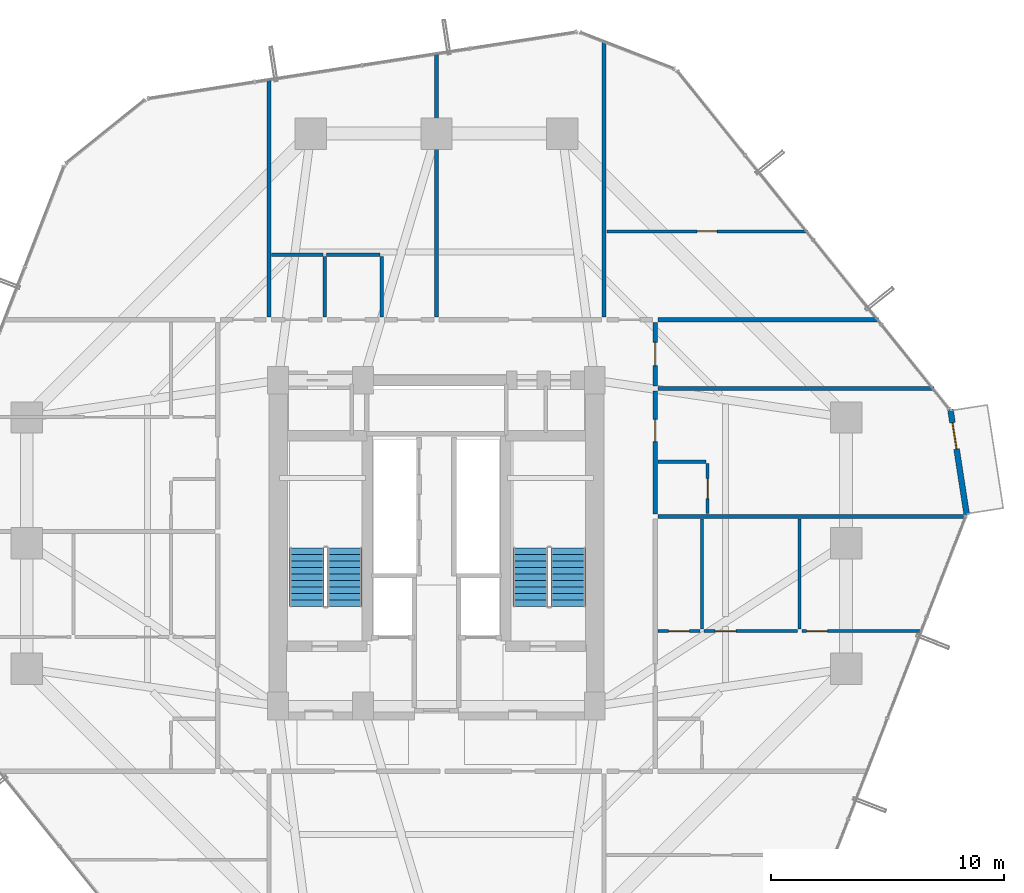
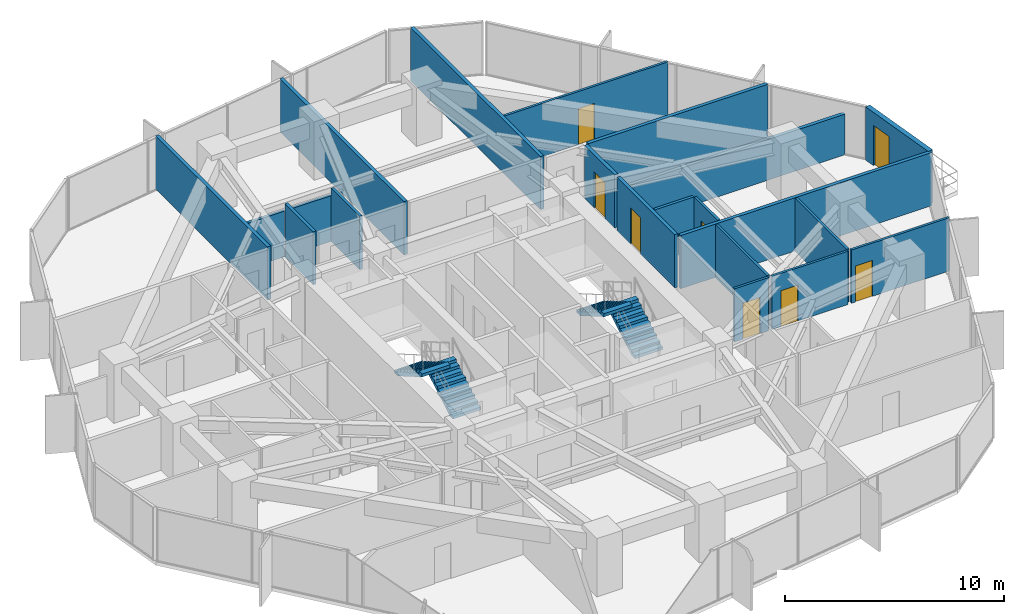
# One storey, part 35 of 37: 21 walls, 8 doors, 4 stair flights, 8 openings, 2 elements without a shape of their own.
"""IFC4 building model written with IfcOpenShell, lengths in metres."""

from ifc_helpers import new_model, si_unit, direction, frame, frame_2d, origin, place, context, subcontext, project, spatial, polyline, rectangle, outline, extrude, source, transform, mapped, material, layer, layer_set, type_object, element, fill, aggregate, save


model = new_model("IFC4")

# Units and contexts
model_context = context("Model", 3, precision=1e-05, world=origin(), true_north=direction((0.0, 1.0)))
body_context = subcontext(model_context, "Body", "Model", "MODEL_VIEW")
ifc_project = project(units=[si_unit("LENGTHUNIT", "METRE"), si_unit("AREAUNIT", "SQUARE_METRE"), si_unit("VOLUMEUNIT", "CUBIC_METRE"), si_unit("PLANEANGLEUNIT", "RADIAN"), si_unit("MASSUNIT", "GRAM", prefix="KILO")], contexts=[model_context])

# Site, building, storey
site_placement = place(None, origin())
site = spatial("IfcSite", under=ifc_project, at=site_placement, CompositionType="ELEMENT")
building_placement = place(site_placement, origin())
building = spatial("IfcBuilding", under=site, at=building_placement, Name="Veraguas Prism Commons", CompositionType="ELEMENT")
storey_placement = place(building_placement, frame((0.0, 0.0, 53.300048828125)))
storey = spatial("IfcBuildingStorey", under=building, at=storey_placement, Name="L14", CompositionType="ELEMENT", Elevation=53.300048828125)

# Walls
ifc_material_1 = material(Name="Autoclaved aerated masonry block 10 MPa", Category="masonry")
ifc_layer_1 = layer(ifc_material_1, 0.179931640625, Name="Corridor and Inter-Tenancy Partition 180", Category="masonry")
ifc_layer_set_1 = layer_set([ifc_layer_1], Name="Autoclaved aerated masonry block 10 MPa")
wall_type_1 = type_object("IfcWallType", Name="Corridor and Inter-Tenancy Partition 180", PredefinedType="PARTITIONING", material=ifc_layer_set_1)
wall_1_placement = place(storey_placement, frame((16.800048828125, 33.719970703125, 0.0), z_axis=(0.0, 0.0, 1.0), x_axis=(0.0, 1.0, 0.0)))
element("IfcWall", 1, at=wall_1_placement, inside=storey, type_object=wall_type_1, Name="WL-L14-PT005", PredefinedType="PARTITIONING", context=body_context, shape_type="SweptSolid", body=[
    extrude(rectangle(XDim=10.2265625, YDim=0.179931640625, at=frame_2d((5.11328125, 0.0))), origin(), (0.0, 0.0, 1.0), 2.969970703125),
])
wall_2_placement = place(storey_placement, frame((31.199951171875, 33.719970703125, 0.0), z_axis=(0.0, 0.0, 1.0), x_axis=(0.0, 1.0, 0.0)))
element("IfcWall", 2, at=wall_2_placement, inside=storey, type_object=wall_type_1, Name="WL-L14-PT006", PredefinedType="PARTITIONING", context=body_context, shape_type="SweptSolid", body=[
    extrude(rectangle(XDim=11.867919921875, YDim=0.179931640625, at=frame_2d((5.93408203125, 0.0))), origin(), (0.0, 0.0, 1.0), 2.969970703125),
])
wall_3_placement = place(storey_placement, frame((24.0, 33.719970703125, 0.0), z_axis=(0.0, 0.0, 1.0), x_axis=(0.0, 1.0, 0.0)))
element("IfcWall", 3, at=wall_3_placement, inside=storey, type_object=wall_type_1, Name="WL-L14-PT015", PredefinedType="PARTITIONING", context=body_context, shape_type="SweptSolid", body=[
    extrude(rectangle(XDim=11.34375, YDim=0.179931640625, at=frame_2d((5.671875, 0.0))), origin(), (0.0, 0.0, 1.0), 2.969970703125),
])
wall_4_placement = place(storey_placement, frame((33.52001953125, 33.60009765625, 0.0), z_axis=(0.0, 0.0, 1.0), x_axis=(1.0, 0.0, 0.0)))
element("IfcWall", 4, at=wall_4_placement, inside=storey, type_object=wall_type_1, Name="WL-L14-PT034", PredefinedType="PARTITIONING", context=body_context, shape_type="SweptSolid", body=[
    extrude(rectangle(XDim=9.471435546875, YDim=0.179931640625, at=frame_2d((4.73583984375, 0.0))), origin(), (0.0, 0.0, 1.0), 2.969970703125),
])
wall_5_placement = place(storey_placement, frame((33.52001953125, 25.152099609375, 0.0), z_axis=(0.0, 0.0, 1.0), x_axis=(1.0, 0.0, 0.0)))
element("IfcWall", 5, at=wall_5_placement, inside=storey, type_object=wall_type_1, Name="WL-L14-PT043", PredefinedType="PARTITIONING", context=body_context, shape_type="SweptSolid", body=[
    extrude(rectangle(XDim=13.248779296875, YDim=0.179931640625, at=frame_2d((6.62451171875, 0.0))), origin(), (0.0, 0.0, 1.0), 2.969970703125),
])

# Wall, opening, door
wall_6_placement = place(storey_placement, frame((33.39990234375, 30.760009765625, 0.0), z_axis=(0.0, 0.0, 1.0), x_axis=(0.0, 1.0, 0.0)))
wall_6 = element("IfcWall", 6, at=wall_6_placement, inside=storey, type_object=wall_type_1, Name="WL-L14-PT044", PredefinedType="PARTITIONING", context=body_context, shape_type="SweptSolid", body=[
    extrude(rectangle(XDim=2.72998046875, YDim=0.179931640625, at=frame_2d((1.364990234375, 0.0))), origin(), (0.0, 0.0, 1.0), 2.969970703125),
])
opening_1_placement = place(wall_6_placement, frame((0.864990234375, 0.0, 0.0)))
opening_1 = element("IfcOpeningElement", 7, at=opening_1_placement, cuts=wall_6, Name="Opening DR-13", PredefinedType="OPENING", context=body_context, shape_type="SweptSolid", body=[
    extrude(rectangle(XDim=1.0, YDim=2.010009765625, at=frame_2d((0.5, 1.0048828125))), frame((0.0, 0.099853515625, 0.0), z_axis=(0.0, -1.0, 0.0), x_axis=(1.0, 0.0, 0.0)), (0.0, 0.0, 1.0), 0.199951171875),
])
ifc_material_2 = material(Name="Steel fire-rated door assembly", Category="steel")
door_type_1 = type_object("IfcDoorType", Name="Core Accessible WC and Clinic Fire Door 1000x2010", OperationType="NOTDEFINED", PredefinedType="DOOR", material=ifc_material_2)
shared_shape_1 = source(origin(), body_context, "Body", "SweptSolid", [
    extrude(rectangle(XDim=1.0, YDim=2.010009765625, at=frame_2d((0.5, 1.0048828125))), frame((0.0, 0.02490234375, 0.0), z_axis=(0.0, -1.0, 0.0), x_axis=(1.0, 0.0, 0.0)), (0.0, 0.0, 1.0), 0.050048828125),
])
door_1_placement = place(opening_1_placement, origin())
door_1 = element("IfcDoor", 8, at=door_1_placement, inside=storey, type_object=door_type_1, Name="Quiet Study E Door", OperationType="SINGLE_SWING_LEFT", OverallHeight=2.010009765625, OverallWidth=1.0, PredefinedType="DOOR", context=body_context, shape_type="MappedRepresentation", body=[
    mapped(shared_shape_1, transform((0.0, 0.0, 0.0), scale=1.0)),
])
fill(opening_1, door_1)

# Wall
wall_7_placement = place(storey_placement, frame((33.52001953125, 30.64990234375, 0.0), z_axis=(0.0, 0.0, 1.0), x_axis=(1.0, 0.0, 0.0)))
element("IfcWall", 9, at=wall_7_placement, inside=storey, type_object=wall_type_1, Name="WL-L14-PT045", PredefinedType="PARTITIONING", context=body_context, shape_type="SweptSolid", body=[
    extrude(rectangle(XDim=11.844970703125, YDim=0.179931640625, at=frame_2d((5.92236328125, 0.0))), origin(), (0.0, 0.0, 1.0), 2.26904296875),
])

# Wall, opening, door
wall_8_placement = place(storey_placement, frame((33.39990234375, 25.261962890625, 0.0), z_axis=(0.0, 0.0, 1.0), x_axis=(0.0, 1.0, 0.0)))
wall_8 = element("IfcWall", 10, at=wall_8_placement, inside=storey, type_object=wall_type_1, Name="WL-L14-PT046", PredefinedType="PARTITIONING", context=body_context, shape_type="SweptSolid", body=[
    extrude(rectangle(XDim=5.278076171875, YDim=0.179931640625, at=frame_2d((2.63916015625, 0.0))), origin(), (0.0, 0.0, 1.0), 2.969970703125),
])
opening_2_placement = place(wall_8_placement, frame((3.106689453125, 0.0, 0.0)))
opening_2 = element("IfcOpeningElement", 11, at=opening_2_placement, cuts=wall_8, Name="Opening DR-01", PredefinedType="OPENING", context=body_context, shape_type="SweptSolid", body=[
    extrude(rectangle(XDim=0.949951171875, YDim=2.02001953125, at=frame_2d((0.47509765625, 1.010009765625))), frame((0.0, 0.099853515625, 0.0), z_axis=(0.0, -1.0, 0.0), x_axis=(1.0, 0.0, 0.0)), (0.0, 0.0, 1.0), 0.199951171875),
])
ifc_material_3 = material(Name="Anodised aluminium EN AW-6063 T6", Category="aluminium")
door_type_2 = type_object("IfcDoorType", Name="Apartment Entrance Fire Door 950x2020", OperationType="NOTDEFINED", PredefinedType="DOOR", material=ifc_material_3)
shared_shape_2 = source(origin(), body_context, "Body", "SweptSolid", [
    extrude(rectangle(XDim=0.949951171875, YDim=2.02001953125, at=frame_2d((0.47509765625, 1.010009765625))), frame((0.0, 0.02490234375, 0.0), z_axis=(0.0, -1.0, 0.0), x_axis=(1.0, 0.0, 0.0)), (0.0, 0.0, 1.0), 0.050048828125),
])
door_2_placement = place(opening_2_placement, origin())
door_2 = element("IfcDoor", 12, at=door_2_placement, inside=storey, type_object=door_type_2, Name="Studio 14D Entrance Door", OperationType="SINGLE_SWING_RIGHT", OverallHeight=2.02001953125, OverallWidth=0.949951171875, PredefinedType="DOOR", context=body_context, shape_type="MappedRepresentation", body=[
    mapped(shared_shape_2, transform((0.0, 0.0, 0.0), scale=1.0)),
])
fill(opening_2, door_2)

ifc_material_4 = material(Name="Precast concrete C40/50", Category="concrete")
ifc_layer_2 = layer(ifc_material_4, 0.25, Name="External Loggia and Portal Wall 250", Category="concrete")
ifc_layer_set_2 = layer_set([ifc_layer_2], Name="Precast concrete C40/50")
wall_type_2 = type_object("IfcWallType", Name="External Loggia and Portal Wall 250", PredefinedType="SOLIDWALL", material=ifc_layer_set_2)
wall_9_placement = place(storey_placement, frame((46.78369140625, 25.218017578125, 0.0), z_axis=(0.0, 0.0, 1.0), x_axis=(-0.153366947005, 0.988169307136, 0.0)))
wall_9 = element("IfcWall", 13, at=wall_9_placement, inside=storey, type_object=wall_type_2, Name="Corner Loggia Wall L14-C1", PredefinedType="SOLIDWALL", context=body_context, shape_type="SweptSolid", body=[
    extrude(rectangle(XDim=4.579833984375, YDim=0.25, at=frame_2d((2.2900390625, 0.0))), origin(), (0.0, 0.0, 1.0), 2.969970703125),
])
opening_3_placement = place(wall_9_placement, frame((2.860107421875, 0.0, 0.0)))
opening_3 = element("IfcOpeningElement", 14, at=opening_3_placement, cuts=wall_9, Name="Opening DR-10", PredefinedType="OPENING", context=body_context, shape_type="SweptSolid", body=[
    extrude(rectangle(XDim=1.14990234375, YDim=2.25, at=frame_2d((0.574951171875, 1.125))), frame((0.0, 0.135009765625, 0.0), z_axis=(0.0, -1.0, 0.0), x_axis=(1.0, 0.0, 0.0)), (0.0, 0.0, 1.0), 0.27001953125),
])
door_type_3 = type_object("IfcDoorType", Name="Glazed Loggia and Terrace Door 1150x2250", OperationType="NOTDEFINED", PredefinedType="DOOR", material=ifc_material_3)
shared_shape_3 = source(origin(), body_context, "Body", "SweptSolid", [
    extrude(rectangle(XDim=1.14990234375, YDim=2.25, at=frame_2d((0.574951171875, 1.125))), frame((0.0, 0.02490234375, 0.0), z_axis=(0.0, -1.0, 0.0), x_axis=(1.0, 0.0, 0.0)), (0.0, 0.0, 1.0), 0.050048828125),
])
door_3_placement = place(opening_3_placement, frame((1.14990234375, 0.0, 0.0), z_axis=(0.0, 0.0, 1.0), x_axis=(-1.0, 0.0, 0.0)))
door_3 = element("IfcDoor", 15, at=door_3_placement, inside=storey, type_object=door_type_3, Name="Recessed Loggia Door L14-C1", OperationType="SINGLE_SWING_RIGHT", OverallHeight=2.25, OverallWidth=1.14990234375, PredefinedType="DOOR", context=body_context, shape_type="MappedRepresentation", body=[
    mapped(shared_shape_3, transform((0.0, 0.0, 0.0), scale=1.0)),
])
fill(opening_3, door_3)

ifc_material_5 = material(Name="Lightweight acoustic gypsum board")
ifc_layer_3 = layer(ifc_material_5, 0.125, Name="Internal Apartment Room Partition 125")
ifc_layer_set_3 = layer_set([ifc_layer_3], Name="Lightweight acoustic gypsum board")
wall_type_3 = type_object("IfcWallType", Name="Internal Apartment Room Partition 125", PredefinedType="PARTITIONING", material=ifc_layer_set_3)
wall_10_placement = place(storey_placement, frame((33.52001953125, 20.22412109375, 0.0), z_axis=(0.0, 0.0, 1.0), x_axis=(1.0, 0.0, 0.0)))
wall_10 = element("IfcWall", 16, at=wall_10_placement, inside=storey, type_object=wall_type_3, Name="WL-L14-PT038", PredefinedType="PARTITIONING", context=body_context, shape_type="SweptSolid", body=[
    extrude(rectangle(XDim=1.800048828125, YDim=0.125, at=frame_2d((0.89990234375, 0.0))), origin(), (0.0, 0.0, 1.0), 2.969970703125),
])
opening_4_placement = place(wall_10_placement, frame((0.449951171875, 0.0, 0.0)))
opening_4 = element("IfcOpeningElement", 17, at=opening_4_placement, cuts=wall_10, Name="Opening DR-02", PredefinedType="OPENING", context=body_context, shape_type="SweptSolid", body=[
    extrude(rectangle(XDim=0.89990234375, YDim=2.010009765625, at=frame_2d((0.449951171875, 1.0048828125))), frame((0.0, 0.072509765625, 0.0), z_axis=(0.0, -1.0, 0.0), x_axis=(1.0, 0.0, 0.0)), (0.0, 0.0, 1.0), 0.14501953125),
])
ifc_material_6 = material(Name="Timber solid core hardwood", Category="wood")
door_type_4 = type_object("IfcDoorType", Name="Internal Habitable Room Door 900x2010", OperationType="NOTDEFINED", PredefinedType="DOOR", material=ifc_material_6)
shared_shape_4 = source(origin(), body_context, "Body", "SweptSolid", [
    extrude(rectangle(XDim=0.89990234375, YDim=2.010009765625, at=frame_2d((0.449951171875, 1.0048828125))), frame((0.0, 0.02490234375, 0.0), z_axis=(0.0, -1.0, 0.0), x_axis=(1.0, 0.0, 0.0)), (0.0, 0.0, 1.0), 0.050048828125),
])
door_4_placement = place(opening_4_placement, origin())
door_4 = element("IfcDoor", 18, at=door_4_placement, inside=storey, type_object=door_type_4, Name="Flat 14C Kitchen Door", OperationType="SINGLE_SWING_RIGHT", OverallHeight=2.010009765625, OverallWidth=0.89990234375, PredefinedType="DOOR", context=body_context, shape_type="MappedRepresentation", body=[
    mapped(shared_shape_4, transform((0.0, 0.0, 0.0), scale=1.0)),
])
fill(opening_4, door_4)

# Walls
for number, where, z_axis, x_axis, name in (
    (19, (35.39990234375, 20.323974609375, 0.0), (0.0, 0.0, 1.0), (0.0, 1.0, 0.0), "WL-L14-PT039"),
    (20, (39.60009765625, 20.323974609375, 0.0), (0.0, 0.0, 1.0), (0.0, 1.0, 0.0), "WL-L14-PT040"),
):
    element("IfcWall", number, at=place(storey_placement, frame(where, z_axis=z_axis, x_axis=x_axis)), inside=storey, type_object=wall_type_3, Name=name, PredefinedType="PARTITIONING", context=body_context, shape_type="SweptSolid", body=[
        extrude(rectangle(XDim=4.7080078125, YDim=0.125, at=frame_2d((2.35400390625, 0.0))), origin(), (0.0, 0.0, 1.0), 2.969970703125),
    ])

# Wall, opening, door
wall_11_placement = place(storey_placement, frame((35.5, 20.22412109375, 0.0), z_axis=(0.0, 0.0, 1.0), x_axis=(1.0, 0.0, 0.0)))
wall_11 = element("IfcWall", 21, at=wall_11_placement, inside=storey, type_object=wall_type_3, Name="WL-L14-PT041", PredefinedType="PARTITIONING", context=body_context, shape_type="SweptSolid", body=[
    extrude(rectangle(XDim=4.02001953125, YDim=0.125, at=frame_2d((2.010009765625, 0.0))), origin(), (0.0, 0.0, 1.0), 2.969970703125),
])
opening_5_placement = place(wall_11_placement, frame((0.471923828125, 0.0, 0.0)))
opening_5 = element("IfcOpeningElement", 22, at=opening_5_placement, cuts=wall_11, Name="Opening DR-02", PredefinedType="OPENING", context=body_context, shape_type="SweptSolid", body=[
    extrude(rectangle(XDim=0.89990234375, YDim=2.010009765625, at=frame_2d((0.449951171875, 1.0048828125))), frame((0.0, 0.072509765625, 0.0), z_axis=(0.0, -1.0, 0.0), x_axis=(1.0, 0.0, 0.0)), (0.0, 0.0, 1.0), 0.14501953125),
])
door_5_placement = place(opening_5_placement, origin())
door_5 = element("IfcDoor", 23, at=door_5_placement, inside=storey, type_object=door_type_4, Name="Flat 14C Bedroom 1 Door", OperationType="SINGLE_SWING_LEFT", OverallHeight=2.010009765625, OverallWidth=0.89990234375, PredefinedType="DOOR", context=body_context, shape_type="MappedRepresentation", body=[
    mapped(shared_shape_4, transform((0.0, 0.0, 0.0), scale=1.0)),
])
fill(opening_5, door_5)

wall_12_placement = place(storey_placement, frame((39.699951171875, 20.22412109375, 0.0), z_axis=(0.0, 0.0, 1.0), x_axis=(1.0, 0.0, 0.0)))
wall_12 = element("IfcWall", 24, at=wall_12_placement, inside=storey, type_object=wall_type_3, Name="WL-L14-PT042", PredefinedType="PARTITIONING", context=body_context, shape_type="SweptSolid", body=[
    extrude(rectangle(XDim=5.159423828125, YDim=0.125, at=frame_2d((2.57958984375, 0.0))), origin(), (0.0, 0.0, 1.0), 2.969970703125),
])
opening_6_placement = place(wall_12_placement, frame((0.199951171875, 0.0, 0.0)))
opening_6 = element("IfcOpeningElement", 25, at=opening_6_placement, cuts=wall_12, Name="Opening DR-02", PredefinedType="OPENING", context=body_context, shape_type="SweptSolid", body=[
    extrude(rectangle(XDim=0.89990234375, YDim=2.010009765625, at=frame_2d((0.449951171875, 1.0048828125))), frame((0.0, 0.072509765625, 0.0), z_axis=(0.0, -1.0, 0.0), x_axis=(1.0, 0.0, 0.0)), (0.0, 0.0, 1.0), 0.14501953125),
])
door_6_placement = place(opening_6_placement, origin())
door_6 = element("IfcDoor", 26, at=door_6_placement, inside=storey, type_object=door_type_4, Name="Flat 14C Bedroom 2 Door", OperationType="SINGLE_SWING_RIGHT", OverallHeight=2.010009765625, OverallWidth=0.89990234375, PredefinedType="DOOR", context=body_context, shape_type="MappedRepresentation", body=[
    mapped(shared_shape_4, transform((0.0, 0.0, 0.0), scale=1.0)),
])
fill(opening_6, door_6)

wall_13_placement = place(storey_placement, frame((35.64990234375, 25.27197265625, 0.0), z_axis=(0.0, 0.0, 1.0), x_axis=(0.0, 1.0, 0.0)))
wall_13 = element("IfcWall", 27, at=wall_13_placement, inside=storey, type_object=wall_type_3, Name="WL-L14-PT048", PredefinedType="PARTITIONING", context=body_context, shape_type="SweptSolid", body=[
    extrude(rectangle(XDim=2.150146484375, YDim=0.125, at=frame_2d((1.0751953125, 0.0))), origin(), (0.0, 0.0, 1.0), 2.969970703125),
])
opening_7_placement = place(wall_13_placement, frame((0.64501953125, 0.0, 0.0)))
opening_7 = element("IfcOpeningElement", 28, at=opening_7_placement, cuts=wall_13, Name="Opening DR-03", PredefinedType="OPENING", context=body_context, shape_type="SweptSolid", body=[
    extrude(rectangle(XDim=0.860107421875, YDim=2.010009765625, at=frame_2d((0.43017578125, 1.0048828125))), frame((0.0, 0.072509765625, 0.0), z_axis=(0.0, -1.0, 0.0), x_axis=(1.0, 0.0, 0.0)), (0.0, 0.0, 1.0), 0.14501953125),
])
ifc_material_7 = material(Name="Timber moisture-resistant leaf", Category="wood")
door_type_5 = type_object("IfcDoorType", Name="Internal Bathroom Door 860x2010", OperationType="NOTDEFINED", PredefinedType="DOOR", material=ifc_material_7)
shared_shape_5 = source(origin(), body_context, "Body", "SweptSolid", [
    extrude(rectangle(XDim=0.860107421875, YDim=2.010009765625, at=frame_2d((0.43017578125, 1.0048828125))), frame((0.0, 0.02490234375, 0.0), z_axis=(0.0, -1.0, 0.0), x_axis=(1.0, 0.0, 0.0)), (0.0, 0.0, 1.0), 0.050048828125),
])
door_7_placement = place(opening_7_placement, origin())
door_7 = element("IfcDoor", 29, at=door_7_placement, inside=storey, type_object=door_type_5, Name="Studio 14D Bathroom Door", OperationType="SINGLE_SWING_LEFT", OverallHeight=2.010009765625, OverallWidth=0.860107421875, PredefinedType="DOOR", context=body_context, shape_type="MappedRepresentation", body=[
    mapped(shared_shape_5, transform((0.0, 0.0, 0.0), scale=1.0)),
])
fill(opening_7, door_7)

wall_14_placement = place(storey_placement, frame((31.320068359375, 37.39990234375, 0.0), z_axis=(0.0, 0.0, 1.0), x_axis=(1.0, 0.0, 0.0)))
wall_14 = element("IfcWall", 30, at=wall_14_placement, inside=storey, type_object=wall_type_3, Name="WL-L14-PT055", PredefinedType="PARTITIONING", context=body_context, shape_type="SweptSolid", body=[
    extrude(rectangle(XDim=8.61376953125, YDim=0.125, at=frame_2d((4.306884765625, 0.0))), origin(), (0.0, 0.0, 1.0), 2.969970703125),
])
opening_8_placement = place(wall_14_placement, frame((3.876953125, 0.0, 0.0)))
opening_8 = element("IfcOpeningElement", 31, at=opening_8_placement, cuts=wall_14, Name="Opening DR-03", PredefinedType="OPENING", context=body_context, shape_type="SweptSolid", body=[
    extrude(rectangle(XDim=0.860107421875, YDim=2.010009765625, at=frame_2d((0.43017578125, 1.0048828125))), frame((0.0, 0.072509765625, 0.0), z_axis=(0.0, -1.0, 0.0), x_axis=(1.0, 0.0, 0.0)), (0.0, 0.0, 1.0), 0.14501953125),
])
door_8_placement = place(opening_8_placement, origin())
door_8 = element("IfcDoor", 32, at=door_8_placement, inside=storey, type_object=door_type_5, Name="Corner Store NE Door", OperationType="SINGLE_SWING_RIGHT", OverallHeight=2.010009765625, OverallWidth=0.860107421875, PredefinedType="DOOR", context=body_context, shape_type="MappedRepresentation", body=[
    mapped(shared_shape_5, transform((0.0, 0.0, 0.0), scale=1.0)),
])
fill(opening_8, door_8)

# Walls
ifc_layer_4 = layer(ifc_material_5, 0.14990234375, Name="Wet Room and Clinic Acoustic Partition 150")
ifc_layer_set_4 = layer_set([ifc_layer_4], Name="Lightweight acoustic gypsum board")
wall_type_4 = type_object("IfcWallType", Name="Wet Room and Clinic Acoustic Partition 150", PredefinedType="PARTITIONING", material=ifc_layer_set_4)
for number, where, z_axis, x_axis, name in (
    (33, (19.199951171875, 33.719970703125, 0.0), (0.0, 0.0, 1.0), (0.0, 1.0, 0.0), "WL-L14-PT011"),
    (34, (21.64990234375, 33.719970703125, 0.0), (0.0, 0.0, 1.0), (0.0, 1.0, 0.0), "WL-L14-PT012"),
):
    element("IfcWall", number, at=place(storey_placement, frame(where, z_axis=z_axis, x_axis=x_axis)), inside=storey, type_object=wall_type_4, Name=name, PredefinedType="PARTITIONING", context=body_context, shape_type="SweptSolid", body=[
        extrude(rectangle(XDim=2.60009765625, YDim=0.14990234375, at=frame_2d((1.300048828125, 0.0))), origin(), (0.0, 0.0, 1.0), 2.969970703125),
    ])
wall_15_placement = place(storey_placement, frame((16.919921875, 36.39990234375, 0.0), z_axis=(0.0, 0.0, 1.0), x_axis=(1.0, 0.0, 0.0)))
element("IfcWall", 35, at=wall_15_placement, inside=storey, type_object=wall_type_4, Name="WL-L14-PT013", PredefinedType="PARTITIONING", context=body_context, shape_type="SweptSolid", body=[
    extrude(rectangle(XDim=2.2001953125, YDim=0.14990234375, at=frame_2d((1.10009765625, 0.0))), origin(), (0.0, 0.0, 1.0), 2.550048828125),
])
wall_16_placement = place(storey_placement, frame((19.280029296875, 36.39990234375, 0.0), z_axis=(0.0, 0.0, 1.0), x_axis=(1.0, 0.0, 0.0)))
element("IfcWall", 36, at=wall_16_placement, inside=storey, type_object=wall_type_4, Name="WL-L14-PT014", PredefinedType="PARTITIONING", context=body_context, shape_type="SweptSolid", body=[
    extrude(rectangle(XDim=2.2900390625, YDim=0.14990234375, at=frame_2d((1.14501953125, 0.0))), origin(), (0.0, 0.0, 1.0), 2.550048828125),
])
wall_17_placement = place(storey_placement, frame((33.52001953125, 27.501953125, 0.0), z_axis=(0.0, 0.0, 1.0), x_axis=(1.0, 0.0, 0.0)))
element("IfcWall", 37, at=wall_17_placement, inside=storey, type_object=wall_type_4, Name="WL-L14-PT047", PredefinedType="PARTITIONING", context=body_context, shape_type="SweptSolid", body=[
    extrude(rectangle(XDim=2.050048828125, YDim=0.14990234375, at=frame_2d((1.02490234375, 0.0))), origin(), (0.0, 0.0, 1.0), 2.969970703125),
])

# Stair, stair flights
ifc_material_8 = material(Name="Precast concrete C45/55", Category="concrete")
stair_type = type_object("IfcStairType", Name="Dogleg Core Stair 1480W 20R 05", PredefinedType="HALF_TURN_STAIR", material=ifc_material_8)
stair_1_placement = place(storey_placement, origin())
stair_1 = element("IfcStair", 38, at=stair_1_placement, inside=storey, type_object=stair_type, Name="Protected Exit Stair ST-01 L14", PredefinedType="HALF_TURN_STAIR")
stair_flight_type = type_object("IfcStairFlightType", Name="Precast Stair Flight 1480W 10R 05", PredefinedType="STRAIGHT", material=ifc_material_8)
stair_flight_1_placement = place(storey_placement, frame((20.06005859375, 21.280029296875, 0.0), z_axis=(0.0, 0.0, 1.0), x_axis=(0.0, 1.0, 0.0)))
stair_flight_1 = element("IfcStairFlight", 39, at=stair_flight_1_placement, type_object=stair_flight_type, Name="ST-05 Flight 1", NumberOfRisers=10, NumberOfTreads=9, PredefinedType="STRAIGHT", RiserHeight=0.1625, TreadLength=0.28, context=body_context, shape_type="SweptSolid", body=[
    extrude(outline(polyline([(0.0, 0.0), (0.0, 0.16259765625), (0.280029296875, 0.16259765625), (0.280029296875, 0.324951171875), (0.56005859375, 0.324951171875), (0.56005859375, 0.487548828125), (0.840087890625, 0.487548828125), (0.840087890625, 0.64990234375), (1.1201171875, 0.64990234375), (1.1201171875, 0.8125), (1.39990234375, 0.8125), (1.39990234375, 0.97509765625), (1.679931640625, 0.97509765625), (1.679931640625, 1.137451171875), (1.9599609375, 1.137451171875), (1.9599609375, 1.300048828125), (2.239990234375, 1.300048828125), (2.239990234375, 1.46240234375), (2.52001953125, 1.46240234375), (2.52001953125, 1.625), (2.52001953125, 1.2890625), (0.298583984375, 0.0), (0.0, 0.0)])), frame((0.0, 0.739990234375, 0.0), z_axis=(0.0, -1.0, 0.0), x_axis=(1.0, 0.0, 0.0)), (0.0, 0.0, 1.0), 1.47998046875),
])
stair_flight_2_placement = place(storey_placement, frame((18.429931640625, 23.800048828125, 1.625), z_axis=(0.0, 0.0, 1.0), x_axis=(0.0, -1.0, 0.0)))
stair_flight_2 = element("IfcStairFlight", 40, at=stair_flight_2_placement, type_object=stair_flight_type, Name="ST-05 Flight 2", NumberOfRisers=10, NumberOfTreads=9, PredefinedType="STRAIGHT", RiserHeight=0.1625, TreadLength=0.28, context=body_context, shape_type="SweptSolid", body=[
    extrude(outline(polyline([(0.0, 0.0), (0.0, 0.16259765625), (0.280029296875, 0.16259765625), (0.280029296875, 0.324951171875), (0.56005859375, 0.324951171875), (0.56005859375, 0.487548828125), (0.840087890625, 0.487548828125), (0.840087890625, 0.64990234375), (1.1201171875, 0.64990234375), (1.1201171875, 0.8125), (1.39990234375, 0.8125), (1.39990234375, 0.97509765625), (1.679931640625, 0.97509765625), (1.679931640625, 1.137451171875), (1.9599609375, 1.137451171875), (1.9599609375, 1.300048828125), (2.239990234375, 1.300048828125), (2.239990234375, 1.46240234375), (2.52001953125, 1.46240234375), (2.52001953125, 1.625), (2.52001953125, 1.2890625), (0.298583984375, 0.0), (0.0, 0.0)])), frame((0.0, 0.739990234375, 0.0), z_axis=(0.0, -1.0, 0.0), x_axis=(1.0, 0.0, 0.0)), (0.0, 0.0, 1.0), 1.47998046875),
])
aggregate(stair_1, [stair_flight_1, stair_flight_2])

stair_2_placement = place(storey_placement, origin())
stair_2 = element("IfcStair", 41, at=stair_2_placement, inside=storey, type_object=stair_type, Name="Protected Exit Stair ST-02 L14", PredefinedType="HALF_TURN_STAIR")
stair_flight_3_placement = place(storey_placement, frame((29.659912109375, 21.280029296875, 0.0), z_axis=(0.0, 0.0, 1.0), x_axis=(0.0, 1.0, 0.0)))
stair_flight_3 = element("IfcStairFlight", 42, at=stair_flight_3_placement, type_object=stair_flight_type, Name="ST-05 Flight 1", NumberOfRisers=10, NumberOfTreads=9, PredefinedType="STRAIGHT", RiserHeight=0.1625, TreadLength=0.28, context=body_context, shape_type="SweptSolid", body=[
    extrude(outline(polyline([(0.0, 0.0), (0.0, 0.16259765625), (0.280029296875, 0.16259765625), (0.280029296875, 0.324951171875), (0.56005859375, 0.324951171875), (0.56005859375, 0.487548828125), (0.840087890625, 0.487548828125), (0.840087890625, 0.64990234375), (1.1201171875, 0.64990234375), (1.1201171875, 0.8125), (1.39990234375, 0.8125), (1.39990234375, 0.97509765625), (1.679931640625, 0.97509765625), (1.679931640625, 1.137451171875), (1.9599609375, 1.137451171875), (1.9599609375, 1.300048828125), (2.239990234375, 1.300048828125), (2.239990234375, 1.46240234375), (2.52001953125, 1.46240234375), (2.52001953125, 1.625), (2.52001953125, 1.2890625), (0.298583984375, 0.0), (0.0, 0.0)])), frame((0.0, 0.739990234375, 0.0), z_axis=(0.0, -1.0, 0.0), x_axis=(1.0, 0.0, 0.0)), (0.0, 0.0, 1.0), 1.47998046875),
])
stair_flight_4_placement = place(storey_placement, frame((28.030029296875, 23.800048828125, 1.625), z_axis=(0.0, 0.0, 1.0), x_axis=(0.0, -1.0, 0.0)))
stair_flight_4 = element("IfcStairFlight", 43, at=stair_flight_4_placement, type_object=stair_flight_type, Name="ST-05 Flight 2", NumberOfRisers=10, NumberOfTreads=9, PredefinedType="STRAIGHT", RiserHeight=0.1625, TreadLength=0.28, context=body_context, shape_type="SweptSolid", body=[
    extrude(outline(polyline([(0.0, 0.0), (0.0, 0.16259765625), (0.280029296875, 0.16259765625), (0.280029296875, 0.324951171875), (0.56005859375, 0.324951171875), (0.56005859375, 0.487548828125), (0.840087890625, 0.487548828125), (0.840087890625, 0.64990234375), (1.1201171875, 0.64990234375), (1.1201171875, 0.8125), (1.39990234375, 0.8125), (1.39990234375, 0.97509765625), (1.679931640625, 0.97509765625), (1.679931640625, 1.137451171875), (1.9599609375, 1.137451171875), (1.9599609375, 1.300048828125), (2.239990234375, 1.300048828125), (2.239990234375, 1.46240234375), (2.52001953125, 1.46240234375), (2.52001953125, 1.625), (2.52001953125, 1.2890625), (0.298583984375, 0.0), (0.0, 0.0)])), frame((0.0, 0.739990234375, 0.0), z_axis=(0.0, -1.0, 0.0), x_axis=(1.0, 0.0, 0.0)), (0.0, 0.0, 1.0), 1.47998046875),
])
aggregate(stair_2, [stair_flight_3, stair_flight_4])

save(model, "model.ifc")
